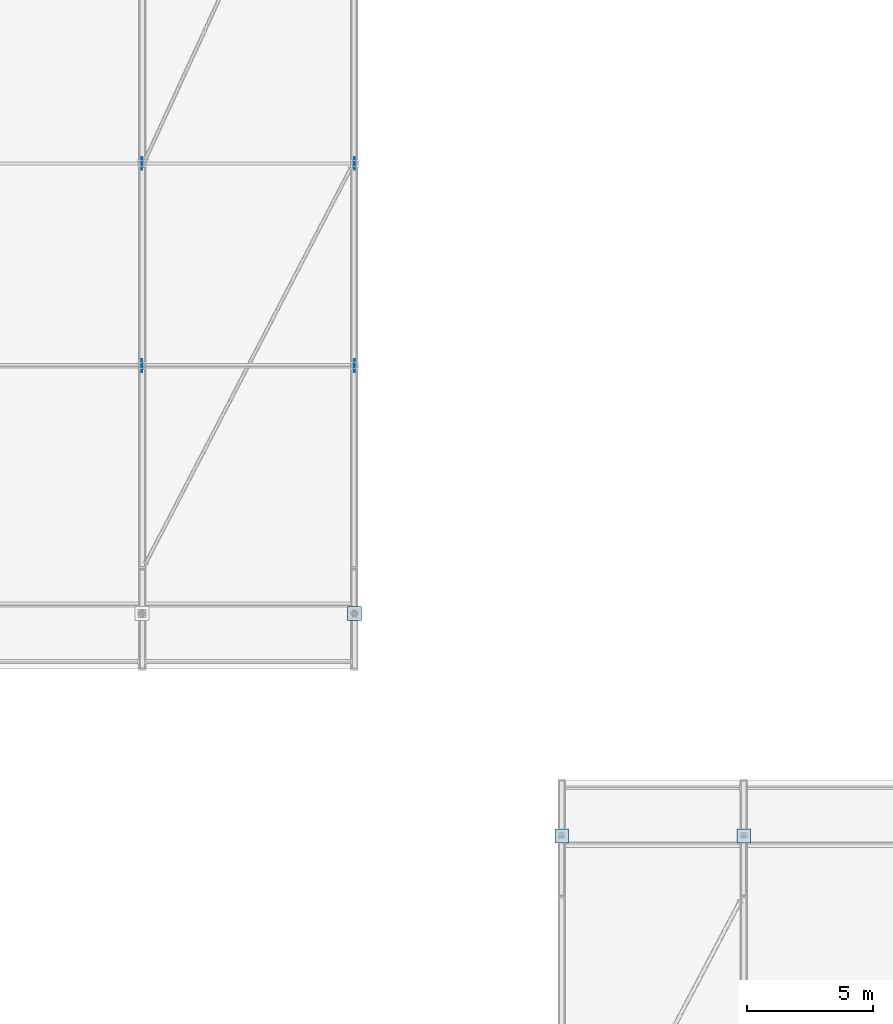
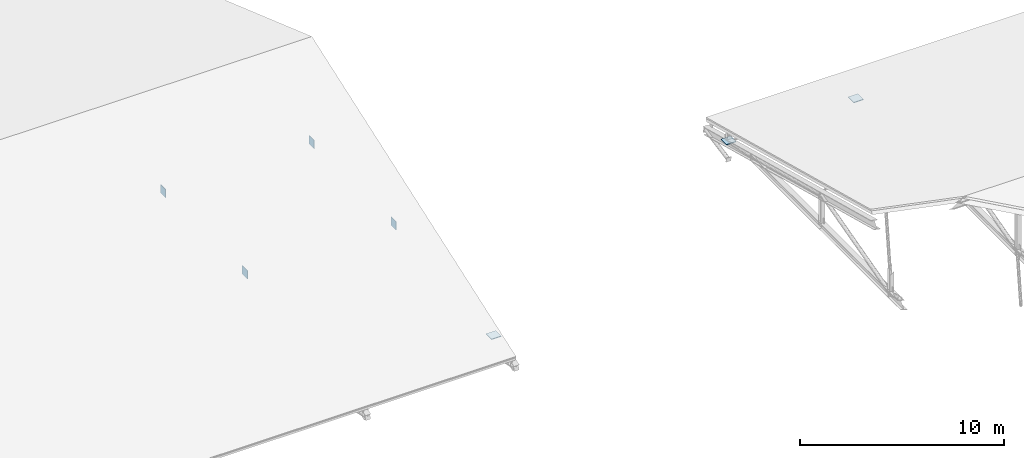
# One storey, part 33 of 57: 7 plates.
"""IFC4 building model written with IfcOpenShell, lengths in metres."""

from ifc_helpers import new_model, si_unit, direction, frame, origin, origin_2d, place, context, subcontext, project, spatial, rectangle, extrude, material, layer, layer_set, type_object, element, save


model = new_model("IFC4")

# Units and contexts
model_context = context("Model", 3, precision=1e-05, world=origin(), true_north=direction((0.0, 1.0)))
body_context = subcontext(model_context, "Body", "Model", "MODEL_VIEW")
ifc_project = project(units=[si_unit("LENGTHUNIT", "METRE"), si_unit("AREAUNIT", "SQUARE_METRE"), si_unit("VOLUMEUNIT", "CUBIC_METRE"), si_unit("PLANEANGLEUNIT", "RADIAN"), si_unit("MASSUNIT", "GRAM", prefix="KILO")], contexts=[model_context])

# Site, building, storey
site_placement = place(None, origin())
site = spatial("IfcSite", under=ifc_project, at=site_placement, CompositionType="ELEMENT")
building_placement = place(site_placement, origin())
building = spatial("IfcBuilding", under=site, at=building_placement, Name="Kelarvand Opera House", CompositionType="ELEMENT")
storey_placement = place(building_placement, frame((0.0, 0.0, 33.60009765625)))
storey = spatial("IfcBuildingStorey", under=building, at=storey_placement, Name="Roof", CompositionType="ELEMENT", Elevation=33.60009765625)

# Plates
ifc_material = material(Name="Steel S355", Category="steel")
ifc_layer_1 = layer(ifc_material, 0.035888671875, Name="Steel S355", Category="steel")
ifc_layer_set_1 = layer_set([ifc_layer_1], Name="Steel S355")
plate_type_1 = type_object("IfcPlateType", Name="Steel Truss Bearing Base Plate 36mm", PredefinedType="USERDEFINED", material=ifc_layer_set_1)
for number, where, z_axis, x_axis, name in (
    (1, (59.199951171875, 78.39990234375, 0.0), (0.0, 0.0, 1.0), (1.0, 0.0, 0.0), "V2 Roof Truss Bearing Plate 1N"),
    (2, (66.39990234375, 78.39990234375, 0.0), (0.0, 0.0, 1.0), (1.0, 0.0, 0.0), "V2 Roof Truss Bearing Plate 2N"),
    (3, (51.0, 87.199951171875, -14.10009765625), (0.0, 0.0, 1.0), (1.0, 0.0, 0.0), "V3 Roof Truss Bearing Plate 6S"),
):
    element("IfcPlate", number, at=place(storey_placement, frame(where, z_axis=z_axis, x_axis=x_axis)), inside=storey, type_object=plate_type_1, Name=name, ObjectType="BASE PLATE", PredefinedType="USERDEFINED", context=body_context, shape_type="SweptSolid", body=[
        extrude(rectangle(XDim=0.550048828125, YDim=0.550048828125, at=origin_2d()), origin(), (0.0, 0.0, 1.0), 0.035888671875),
    ])
ifc_layer_2 = layer(ifc_material, 0.02392578125, Name="Steel S355", Category="steel")
ifc_layer_set_2 = layer_set([ifc_layer_2], Name="Steel S355")
plate_type_2 = type_object("IfcPlateType", Name="Steel Truss Gusset Plate 24mm", PredefinedType="SHEET", material=ifc_layer_set_2)
for number, where, z_axis, x_axis, name in (
    (4, (42.60009765625, 97.0, -13.580078125), (0.0, 0.0, 1.0), (1.0, 0.0, 0.0), "Roof Truss Gusset Plate 89"),
    (5, (42.60009765625, 105.0, -13.580078125), (0.0, 0.0, 1.0), (1.0, 0.0, 0.0), "Roof Truss Gusset Plate 90"),
    (6, (51.0, 97.0, -13.580078125), (0.0, 0.0, 1.0), (1.0, 0.0, 0.0), "Roof Truss Gusset Plate 92"),
    (7, (51.0, 105.0, -13.580078125), (0.0, 0.0, 1.0), (1.0, 0.0, 0.0), "Roof Truss Gusset Plate 93"),
):
    element("IfcPlate", number, at=place(storey_placement, frame(where, z_axis=z_axis, x_axis=x_axis)), inside=storey, type_object=plate_type_2, Name=name, PredefinedType="SHEET", context=body_context, shape_type="SweptSolid", body=[
        extrude(rectangle(XDim=0.02392578125, YDim=0.5, at=origin_2d()), origin(), (0.0, 0.0, 1.0), 0.5),
    ])

save(model, "model.ifc")
